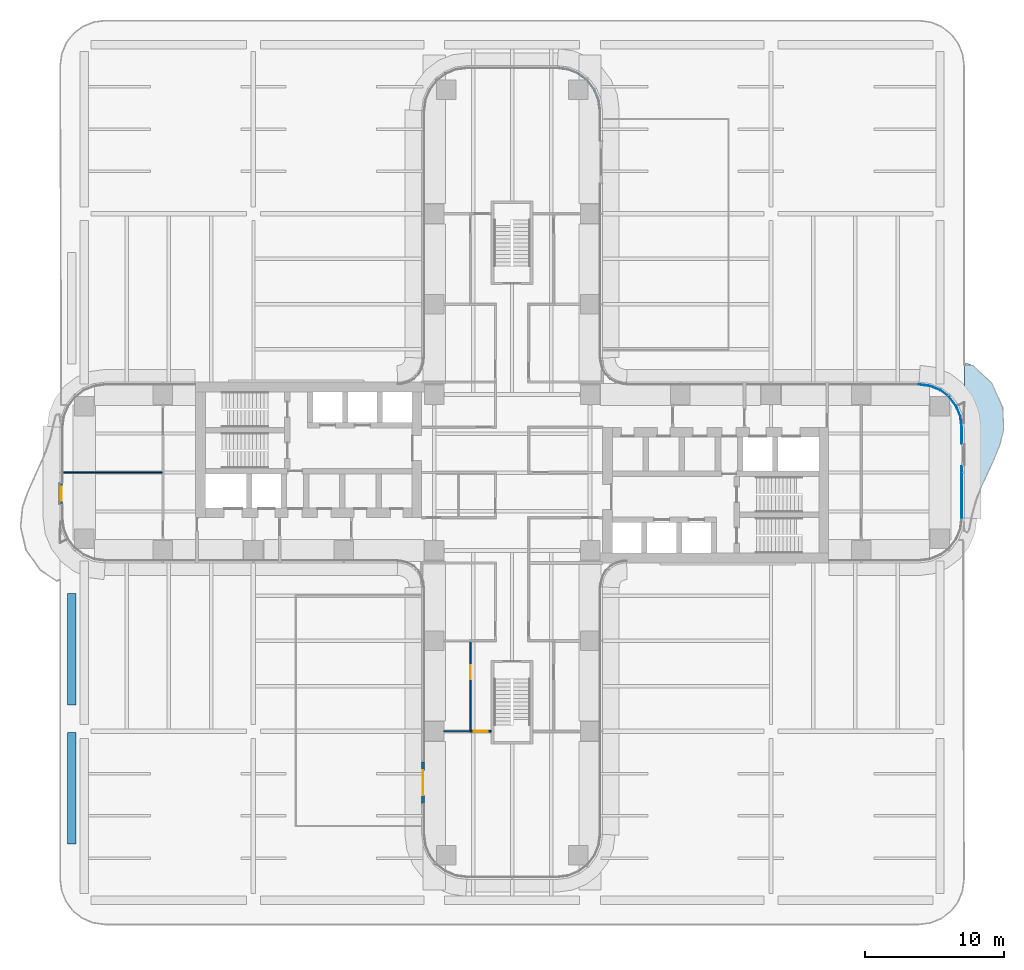
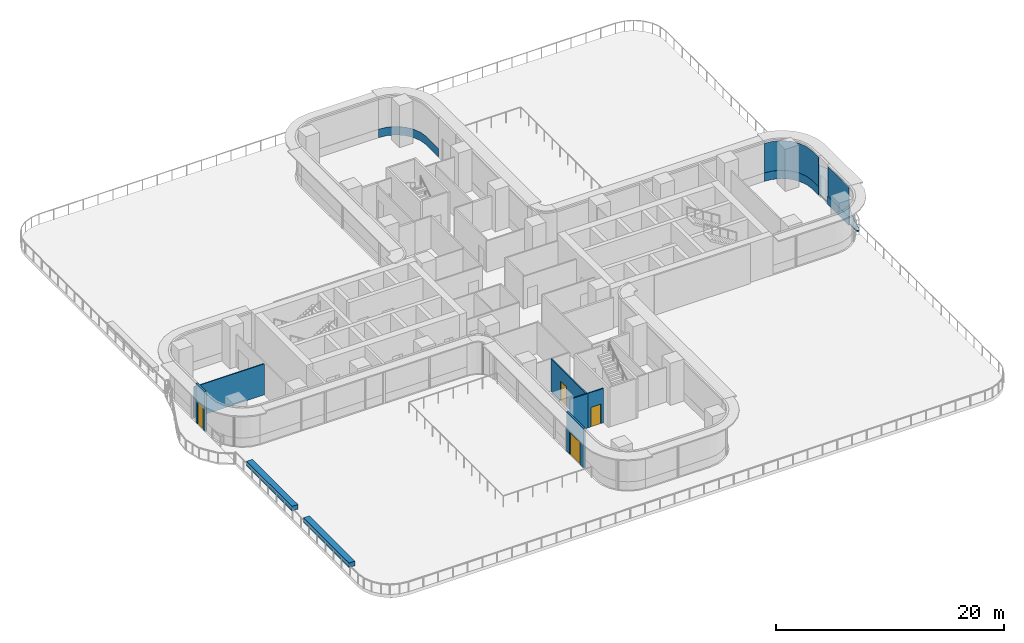
# One storey, part 20 of 29: 8 walls, 5 plates, 4 doors, 1 slab, 4 openings, 3 elements without a shape of their own.
"""IFC4 building model written with IfcOpenShell, lengths in metres."""

from ifc_helpers import new_model, si_unit, direction, frame, frame_2d, origin, place, context, subcontext, project, spatial, polyline, rectangle, outline, extrude, source, transform, mapped, material, layer, layer_set, type_object, element, fill, aggregate, save


model = new_model("IFC4")

# Units and contexts
model_context = context("Model", 3, precision=1e-05, world=origin(), true_north=direction((0.0, 1.0)))
body_context = subcontext(model_context, "Body", "Model", "MODEL_VIEW")
ifc_project = project(units=[si_unit("LENGTHUNIT", "METRE"), si_unit("AREAUNIT", "SQUARE_METRE"), si_unit("VOLUMEUNIT", "CUBIC_METRE"), si_unit("PLANEANGLEUNIT", "RADIAN"), si_unit("MASSUNIT", "GRAM", prefix="KILO")], contexts=[model_context])

# Site, building, storey
site_placement = place(None, origin())
site = spatial("IfcSite", under=ifc_project, at=site_placement, CompositionType="ELEMENT")
building_placement = place(site_placement, origin())
building = spatial("IfcBuilding", under=site, at=building_placement, Name="Trellis Farm Tower", CompositionType="ELEMENT")
storey_placement = place(building_placement, frame((0.0, 0.0, 34.0)))
storey = spatial("IfcBuildingStorey", under=building, at=storey_placement, Name="L06", CompositionType="ELEMENT", Elevation=34.0)

# Slab
ifc_material_1 = material(Name="Concrete C40/50", Category="concrete")
ifc_layer_1 = layer(ifc_material_1, 0.14990234375)
ifc_layer_set_1 = layer_set([ifc_layer_1], Name="Balcony slab 150")
slab_type = type_object("IfcSlabType", Name="Balcony slab 150", PredefinedType="FLOOR", material=ifc_layer_set_1)
slab_placement = place(storey_placement, frame((0.0, 0.0, -0.14990234375)))
element("IfcSlab", 1, at=slab_placement, inside=storey, type_object=slab_type, Name="Balcony slab", PredefinedType="FLOOR", context=body_context, shape_type="SweptSolid", body=[
    extrude(outline(polyline([(33.07861328125, 7.713134765625), (33.111083984375, 7.693115234375), (33.134765625, 7.67529296875), (34.465087890625, 6.447509765625), (34.485595703125, 6.424072265625), (34.5087890625, 6.391357421875), (34.524169921875, 6.364501953125), (35.261962890625, 4.669921875), (35.270751953125, 4.642822265625), (35.27880859375, 4.60693359375), (35.282470703125, 4.578857421875), (35.330078125, 3.074462890625), (35.325439453125, 3.031982421875), (35.0615234375, 2.01708984375), (35.055908203125, 1.999755859375), (34.660400390625, 0.998779296875), (34.656982421875, 0.9912109375), (33.744140625, -0.98876953125), (33.742431640625, -0.992431640625), (33.351806640625, -1.976806640625), (33.349365234375, -1.984619140625), (33.07177734375, -2.990478515625), (33.070556640625, -2.995361328125), (32.842529296875, -4.089599609375), (32.837646484375, -4.107177734375), (32.7919921875, -4.241455078125), (32.72705078125, -4.32177734375), (32.62548828125, -4.341064453125), (32.53564453125, -4.2900390625), (32.5, -4.193115234375), (32.5, -3.254638671875), (32.50048828125, -3.25), (32.50048828125, 3.25), (32.5, 3.254638671875), (32.5, 7.7138671875), (32.564208984375, 7.8369140625), (32.70166015625, 7.854736328125), (33.05224609375, 7.725830078125), (33.07861328125, 7.713134765625)])), origin(), (0.0, 0.0, 1.0), 0.14990234375),
])

# Curtain wall, plate
ifc_material_2 = material(Name="Aluminium and glass curtain wall", Category="aluminium")
ifc_layer_2 = layer(ifc_material_2, 0.18994140625)
ifc_layer_set_2 = layer_set([ifc_layer_2], Name="RIBBON CURTAIN WALL CW1")
curtain_wall_type = type_object("IfcCurtainWallType", Name="RIBBON CURTAIN WALL CW1", PredefinedType="NOTDEFINED", material=ifc_layer_set_2)
placement_1 = place(storey_placement, origin())
curtain_wall_1 = element("IfcCurtainWall", 2, at=placement_1, inside=storey, type_object=curtain_wall_type, Name="CW1 007", PredefinedType="NOTDEFINED")
ifc_material_3 = material(Name="Clear insulated glass", Category="glass")
ifc_layer_3 = layer(ifc_material_3, 0.0400390625)
ifc_layer_set_3 = layer_set([ifc_layer_3], Name="CW1 GLASS PANEL 40")
plate_type_1 = type_object("IfcPlateType", Name="CW1 GLASS PANEL 40", PredefinedType="CURTAIN_PANEL", material=ifc_layer_set_3)
placement_2 = place(storey_placement, frame((0.0, 0.0, 0.89990234375)))
plate_1 = element("IfcPlate", 3, at=placement_2, type_object=plate_type_1, Name="PL1 007", PredefinedType="CURTAIN_PANEL", context=body_context, shape_type="SweptSolid", body=[
    extrude(outline(polyline([(32.35009765625, -3.240234375), (32.35009765625, 0.4599609375), (32.31005859375, 0.4599609375), (32.31005859375, -3.237548828125), (32.35009765625, -3.240234375)])), origin(), (0.0, 0.0, 1.0), 3.170166015625),
])

curtain_wall_2 = element("IfcCurtainWall", 4, at=placement_1, inside=storey, type_object=curtain_wall_type, Name="CW1 008", PredefinedType="NOTDEFINED")
plate_2 = element("IfcPlate", 5, at=placement_2, type_object=plate_type_1, Name="PL1 008", PredefinedType="CURTAIN_PANEL", context=body_context, shape_type="SweptSolid", body=[
    extrude(outline(polyline([(32.35009765625, 2.080078125), (32.35009765625, 3.240234375), (32.2431640625, 4.052001953125), (31.93359375, 4.79931640625), (31.441162109375, 5.441162109375), (30.79931640625, 5.93359375), (30.052001953125, 6.2431640625), (29.240234375, 6.35009765625), (29.237548828125, 6.31005859375), (30.04150390625, 6.2041015625), (30.779296875, 5.898681640625), (31.41259765625, 5.41259765625), (31.898681640625, 4.779296875), (32.2041015625, 4.04150390625), (32.31005859375, 3.237548828125), (32.31005859375, 2.080078125), (32.35009765625, 2.080078125)])), origin(), (0.0, 0.0, 1.0), 3.170166015625),
])

# Plate
ifc_material_4 = material(Name="Sandstone faced insulated panel", Category="masonry")
ifc_layer_4 = layer(ifc_material_4, 0.050048828125)
ifc_layer_set_4 = layer_set([ifc_layer_4], Name="CW1 STONE SPANDREL PANEL 50")
plate_type_2 = type_object("IfcPlateType", Name="CW1 STONE SPANDREL PANEL 50", PredefinedType="CURTAIN_PANEL", material=ifc_layer_set_4)
plate_3 = element("IfcPlate", 6, at=placement_1, type_object=plate_type_2, Name="PS1 007", PredefinedType="CURTAIN_PANEL", context=body_context, shape_type="SweptSolid", body=[
    extrude(outline(polyline([(32.35009765625, -3.240234375), (32.35009765625, 0.4599609375), (32.300048828125, 0.4599609375), (32.300048828125, -3.23681640625), (32.35009765625, -3.240234375)])), origin(), (0.0, 0.0, 1.0), 0.89990234375),
])

aggregate(curtain_wall_1, [plate_1, plate_3])

plate_4 = element("IfcPlate", 7, at=placement_1, type_object=plate_type_2, Name="PS1 008", PredefinedType="CURTAIN_PANEL", context=body_context, shape_type="SweptSolid", body=[
    extrude(outline(polyline([(32.35009765625, 2.080078125), (32.35009765625, 3.240234375), (32.2431640625, 4.052001953125), (31.93359375, 4.79931640625), (31.441162109375, 5.441162109375), (30.79931640625, 5.93359375), (30.052001953125, 6.2431640625), (29.240234375, 6.35009765625), (29.23681640625, 6.300048828125), (30.0390625, 6.1943359375), (30.774169921875, 5.889892578125), (31.405517578125, 5.405517578125), (31.889892578125, 4.774169921875), (32.1943359375, 4.0390625), (32.300048828125, 3.23681640625), (32.300048828125, 2.080078125), (32.35009765625, 2.080078125)])), origin(), (0.0, 0.0, 1.0), 0.89990234375),
])

aggregate(curtain_wall_2, [plate_2, plate_4])

# Curtain wall, plate
curtain_wall_3 = element("IfcCurtainWall", 8, at=placement_1, inside=storey, type_object=curtain_wall_type, Name="CW1 011", PredefinedType="NOTDEFINED")
shared_shape_1 = source(origin(), body_context, "Body", "SweptSolid", [
    extrude(outline(polyline([(6.35009765625, 23.860107421875), (6.35009765625, 25.990234375), (6.2431640625, 26.802001953125), (5.93359375, 27.54931640625), (5.441162109375, 28.191162109375), (4.79931640625, 28.68359375), (4.052001953125, 28.9931640625), (3.240234375, 29.10009765625), (3.23681640625, 29.050048828125), (4.0390625, 28.9443359375), (4.774169921875, 28.639892578125), (5.405517578125, 28.155517578125), (5.889892578125, 27.524169921875), (6.1943359375, 26.7890625), (6.300048828125, 25.98681640625), (6.300048828125, 23.860107421875), (6.35009765625, 23.860107421875)])), origin(), (0.0, 0.0, 1.0), 0.89990234375),
])
plate_5 = element("IfcPlate", 9, at=placement_1, type_object=plate_type_2, Name="PS1 011", PredefinedType="CURTAIN_PANEL", context=body_context, shape_type="MappedRepresentation", body=[
    mapped(shared_shape_1, transform((0.0, 0.0, 0.0))),
])
aggregate(curtain_wall_3, [plate_5])

# Walls
ifc_material_5 = material(Name="Sandstone faced masonry planter", Category="masonry")
ifc_layer_5 = layer(ifc_material_5, 0.60009765625)
ifc_layer_set_5 = layer_set([ifc_layer_5], Name="PLANTER BED 600")
wall_type_1 = type_object("IfcWallType", Name="PLANTER BED 600", PredefinedType="USERDEFINED", material=ifc_layer_set_5)
element("IfcWall", 10, at=placement_1, inside=storey, type_object=wall_type_1, Name="PLANTER bed", ObjectType="PLANTER", PredefinedType="USERDEFINED", context=body_context, shape_type="SweptSolid", body=[
    extrude(outline(polyline([(-31.949951171875, -18.697021484375), (-31.35009765625, -18.697021484375), (-31.35009765625, -26.697021484375), (-31.949951171875, -26.697021484375), (-31.949951171875, -18.697021484375)])), origin(), (0.0, 0.0, 1.0), 0.5),
])
element("IfcWall", 11, at=placement_1, inside=storey, type_object=wall_type_1, Name="PLANTER bed", ObjectType="PLANTER", PredefinedType="USERDEFINED", context=body_context, shape_type="SweptSolid", body=[
    extrude(outline(polyline([(-31.35009765625, -8.697021484375), (-31.35009765625, -16.697021484375), (-31.949951171875, -16.697021484375), (-31.949951171875, -8.697021484375), (-31.35009765625, -8.697021484375)])), origin(), (0.0, 0.0, 1.0), 0.5),
])

# Wall, opening, door
ifc_material_6 = material(Name="Sandstone faced insulated wall", Category="masonry")
ifc_layer_6 = layer(ifc_material_6, 0.199951171875)
ifc_layer_set_6 = layer_set([ifc_layer_6], Name="EXTERNAL INFILL WALL 200")
wall_type_2 = type_object("IfcWallType", Name="EXTERNAL INFILL WALL 200", PredefinedType="SOLIDWALL", material=ifc_layer_set_6)
shared_shape_2 = source(origin(), body_context, "Body", "SweptSolid", [
    extrude(rectangle(XDim=3.0, YDim=0.199951171875, at=frame_2d((1.5, 0.0))), origin(), (0.0, 0.0, 1.0), 4.25),
])
wall_3_placement = place(storey_placement, frame((-6.39990234375, -20.800048828125, 0.0), z_axis=(0.0, 0.0, 1.0), x_axis=(0.0, -1.0, 0.0)))
wall_3 = element("IfcWall", 12, at=wall_3_placement, inside=storey, type_object=wall_type_2, Name="EW1 01", PredefinedType="SOLIDWALL", context=body_context, shape_type="MappedRepresentation", body=[
    mapped(shared_shape_2, transform((0.0, 0.0, 0.0))),
])
shared_shape_3 = source(origin(), body_context, "Body", "SweptSolid", [
    extrude(rectangle(XDim=1.800048828125, YDim=2.39990234375, at=frame_2d((0.89990234375, 1.199951171875))), frame((0.0, 0.110107421875, 0.0), z_axis=(0.0, -1.0, 0.0), x_axis=(1.0, 0.0, 0.0)), (0.0, 0.0, 1.0), 0.22021484375),
])
opening_1_placement = place(wall_3_placement, frame((0.60009765625, 0.0, 0.0)))
opening_1 = element("IfcOpeningElement", 13, at=opening_1_placement, cuts=wall_3, Name="Opening ED1", PredefinedType="OPENING", context=body_context, shape_type="MappedRepresentation", body=[
    mapped(shared_shape_3, transform((0.0, 0.0, 0.0))),
])
ifc_material_7 = material(Name="Aluminium framed glazed door", Category="aluminium")
door_type_1 = type_object("IfcDoorType", Name="BALCONY DOOR 1800x2400", OperationType="DOUBLE_DOOR_SINGLE_SWING", PredefinedType="DOOR", material=ifc_material_7)
shared_shape_4 = source(origin(), body_context, "Body", "SweptSolid", [
    extrude(rectangle(XDim=1.800048828125, YDim=2.39990234375, at=frame_2d((0.89990234375, 1.199951171875))), frame((0.0, 0.02490234375, 0.0), z_axis=(0.0, -1.0, 0.0), x_axis=(1.0, 0.0, 0.0)), (0.0, 0.0, 1.0), 0.050048828125),
])
door_1_placement = place(opening_1_placement, origin())
door_1 = element("IfcDoor", 14, at=door_1_placement, inside=storey, type_object=door_type_1, Name="Balcony door", OperationType="DOUBLE_DOOR_SINGLE_SWING", OverallHeight=2.39990234375, OverallWidth=1.800048828125, PredefinedType="DOOR", context=body_context, shape_type="MappedRepresentation", body=[
    mapped(shared_shape_4, transform((0.0, 0.0, 0.0))),
])
fill(opening_1, door_1)

shared_shape_5 = source(origin(), body_context, "Body", "SweptSolid", [
    extrude(rectangle(XDim=1.5, YDim=0.199951171875, at=frame_2d((0.75, 0.0))), origin(), (0.0, 0.0, 1.0), 4.25),
])
wall_4_placement = place(storey_placement, frame((-32.39990234375, -0.77001953125, 0.0), z_axis=(0.0, 0.0, 1.0), x_axis=(0.0, -1.0, 0.0)))
wall_4 = element("IfcWall", 15, at=wall_4_placement, inside=storey, type_object=wall_type_2, Name="EW1 04", PredefinedType="SOLIDWALL", context=body_context, shape_type="MappedRepresentation", body=[
    mapped(shared_shape_5, transform((0.0, 0.0, 0.0))),
])
shared_shape_6 = source(origin(), body_context, "Body", "SweptSolid", [
    extrude(rectangle(XDim=1.0, YDim=2.39990234375, at=frame_2d((0.5, 1.199951171875))), frame((0.0, 0.110107421875, 0.0), z_axis=(0.0, -1.0, 0.0), x_axis=(1.0, 0.0, 0.0)), (0.0, 0.0, 1.0), 0.22021484375),
])
opening_2_placement = place(wall_4_placement, frame((0.25, 0.0, 0.0)))
opening_2 = element("IfcOpeningElement", 16, at=opening_2_placement, cuts=wall_4, Name="Opening ED2", PredefinedType="OPENING", context=body_context, shape_type="MappedRepresentation", body=[
    mapped(shared_shape_6, transform((0.0, 0.0, 0.0))),
])
door_type_2 = type_object("IfcDoorType", Name="BALCONY DOOR 1000x2400", OperationType="SINGLE_SWING_LEFT", PredefinedType="DOOR", material=ifc_material_7)
shared_shape_7 = source(origin(), body_context, "Body", "SweptSolid", [
    extrude(rectangle(XDim=1.0, YDim=2.39990234375, at=frame_2d((0.5, 1.199951171875))), frame((0.0, 0.02490234375, 0.0), z_axis=(0.0, -1.0, 0.0), x_axis=(1.0, 0.0, 0.0)), (0.0, 0.0, 1.0), 0.050048828125),
])
door_2_placement = place(opening_2_placement, origin())
door_2 = element("IfcDoor", 17, at=door_2_placement, inside=storey, type_object=door_type_2, Name="Balcony door", OperationType="SINGLE_SWING_LEFT", OverallHeight=2.39990234375, OverallWidth=1.0, PredefinedType="DOOR", context=body_context, shape_type="MappedRepresentation", body=[
    mapped(shared_shape_7, transform((0.0, 0.0, 0.0))),
])
fill(opening_2, door_2)

# Wall
ifc_material_8 = material(Name="Plasterboard on steel studs", Category="steel")
ifc_layer_7 = layer(ifc_material_8, 0.10009765625)
ifc_layer_set_7 = layer_set([ifc_layer_7], Name="PARTITION 100 STUD EI 30")
wall_type_3 = type_object("IfcWallType", Name="PARTITION 100 STUD EI 30", PredefinedType="PARTITIONING", material=ifc_layer_set_7)
shared_shape_8 = source(origin(), body_context, "Body", "SweptSolid", [
    extrude(rectangle(XDim=1.96240234375, YDim=0.10009765625, at=frame_2d((0.981201171875, 0.0))), origin(), (0.0, 0.0, 1.0), 3.69677734375),
])
wall_5_placement = place(storey_placement, frame((-4.89990234375, -18.60009765625, 0.0), z_axis=(0.0, 0.0, 1.0), x_axis=(1.0, 0.0, 0.0)))
element("IfcWall", 18, at=wall_5_placement, inside=storey, type_object=wall_type_3, Name="Partition PW2", PredefinedType="PARTITIONING", context=body_context, shape_type="MappedRepresentation", body=[
    mapped(shared_shape_8, transform((0.0, 0.0, 0.0))),
])

# Wall, opening, door
ifc_material_9 = material(Name="Plasterboard on steel studs, mineral wool", Category="steel")
ifc_layer_8 = layer(ifc_material_9, 0.125)
ifc_layer_set_8 = layer_set([ifc_layer_8], Name="PARTITION 125 STUD EI 60")
wall_type_4 = type_object("IfcWallType", Name="PARTITION 125 STUD EI 60", PredefinedType="PARTITIONING", material=ifc_layer_set_8)
shared_shape_9 = source(origin(), body_context, "Body", "SweptSolid", [
    extrude(rectangle(XDim=1.5625, YDim=0.125, at=frame_2d((0.78125, 0.0))), origin(), (0.0, 0.0, 1.0), 3.69677734375),
])
wall_6_placement = place(storey_placement, frame((-1.5, -18.60009765625, 0.0), z_axis=(0.0, 0.0, 1.0), x_axis=(-1.0, 0.0, 0.0)))
wall_6 = element("IfcWall", 19, at=wall_6_placement, inside=storey, type_object=wall_type_4, Name="Partition PW1", PredefinedType="PARTITIONING", context=body_context, shape_type="MappedRepresentation", body=[
    mapped(shared_shape_9, transform((0.0, 0.0, 0.0))),
])
shared_shape_10 = source(origin(), body_context, "Body", "SweptSolid", [
    extrude(rectangle(XDim=1.0, YDim=2.10009765625, at=frame_2d((0.5, 1.050048828125))), frame((0.0, 0.072509765625, 0.0), z_axis=(0.0, -1.0, 0.0), x_axis=(1.0, 0.0, 0.0)), (0.0, 0.0, 1.0), 0.14501953125),
])
opening_3_placement = place(wall_6_placement, frame((0.25, 0.0, 0.0)))
opening_3 = element("IfcOpeningElement", 20, at=opening_3_placement, cuts=wall_6, Name="Opening D101", PredefinedType="OPENING", context=body_context, shape_type="MappedRepresentation", body=[
    mapped(shared_shape_10, transform((0.0, 0.0, 0.0))),
])
ifc_material_10 = material(Name="Fire-rated timber door leaf in a hollow metal frame", Category="wood")
door_type_3 = type_object("IfcDoorType", Name="DOOR 1000x2100 FD30S", OperationType="NOTDEFINED", PredefinedType="DOOR", material=ifc_material_10)
shared_shape_11 = source(origin(), body_context, "Body", "SweptSolid", [
    extrude(rectangle(XDim=1.0, YDim=2.10009765625, at=frame_2d((0.5, 1.050048828125))), frame((0.0, 0.02490234375, 0.0), z_axis=(0.0, -1.0, 0.0), x_axis=(1.0, 0.0, 0.0)), (0.0, 0.0, 1.0), 0.050048828125),
])
door_3_placement = place(opening_3_placement, origin())
door_3 = element("IfcDoor", 21, at=door_3_placement, inside=storey, type_object=door_type_3, Name="Door D101", OperationType="SINGLE_SWING_LEFT", OverallHeight=2.10009765625, OverallWidth=1.0, PredefinedType="DOOR", context=body_context, shape_type="MappedRepresentation", body=[
    mapped(shared_shape_11, transform((0.0, 0.0, 0.0))),
])
fill(opening_3, door_3)

shared_shape_12 = source(origin(), body_context, "Body", "SweptSolid", [
    extrude(rectangle(XDim=6.400146484375, YDim=0.125, at=frame_2d((3.2001953125, 0.0))), origin(), (0.0, 0.0, 1.0), 3.4677734375),
])
wall_7_placement = place(storey_placement, frame((-3.0, -18.550048828125, 0.0), z_axis=(0.0, 0.0, 1.0), x_axis=(0.0, 1.0, 0.0)))
wall_7 = element("IfcWall", 22, at=wall_7_placement, inside=storey, type_object=wall_type_4, Name="Partition PW1", PredefinedType="PARTITIONING", context=body_context, shape_type="MappedRepresentation", body=[
    mapped(shared_shape_12, transform((0.0, 0.0, 0.0))),
])
opening_4_placement = place(wall_7_placement, frame((3.699951171875, 0.0, 0.0)))
opening_4 = element("IfcOpeningElement", 23, at=opening_4_placement, cuts=wall_7, Name="Opening D102", PredefinedType="OPENING", context=body_context, shape_type="MappedRepresentation", body=[
    mapped(shared_shape_10, transform((0.0, 0.0, 0.0))),
])
door_4_placement = place(opening_4_placement, origin())
door_4 = element("IfcDoor", 24, at=door_4_placement, inside=storey, type_object=door_type_3, Name="Door D102", OperationType="SINGLE_SWING_RIGHT", OverallHeight=2.10009765625, OverallWidth=1.0, PredefinedType="DOOR", context=body_context, shape_type="MappedRepresentation", body=[
    mapped(shared_shape_11, transform((0.0, 0.0, 0.0))),
])
fill(opening_4, door_4)

# Wall
shared_shape_13 = source(origin(), body_context, "Body", "SweptSolid", [
    extrude(rectangle(XDim=7.137451171875, YDim=0.10009765625, at=frame_2d((3.56884765625, 0.0))), origin(), (0.0, 0.0, 1.0), 3.330078125),
])
wall_8_placement = place(storey_placement, frame((-32.300048828125, 0.0, 0.0), z_axis=(0.0, 0.0, 1.0), x_axis=(1.0, 0.0, 0.0)))
element("IfcWall", 25, at=wall_8_placement, inside=storey, type_object=wall_type_3, Name="Partition PW2", PredefinedType="PARTITIONING", context=body_context, shape_type="MappedRepresentation", body=[
    mapped(shared_shape_13, transform((0.0, 0.0, 0.0))),
])

save(model, "model.ifc")
